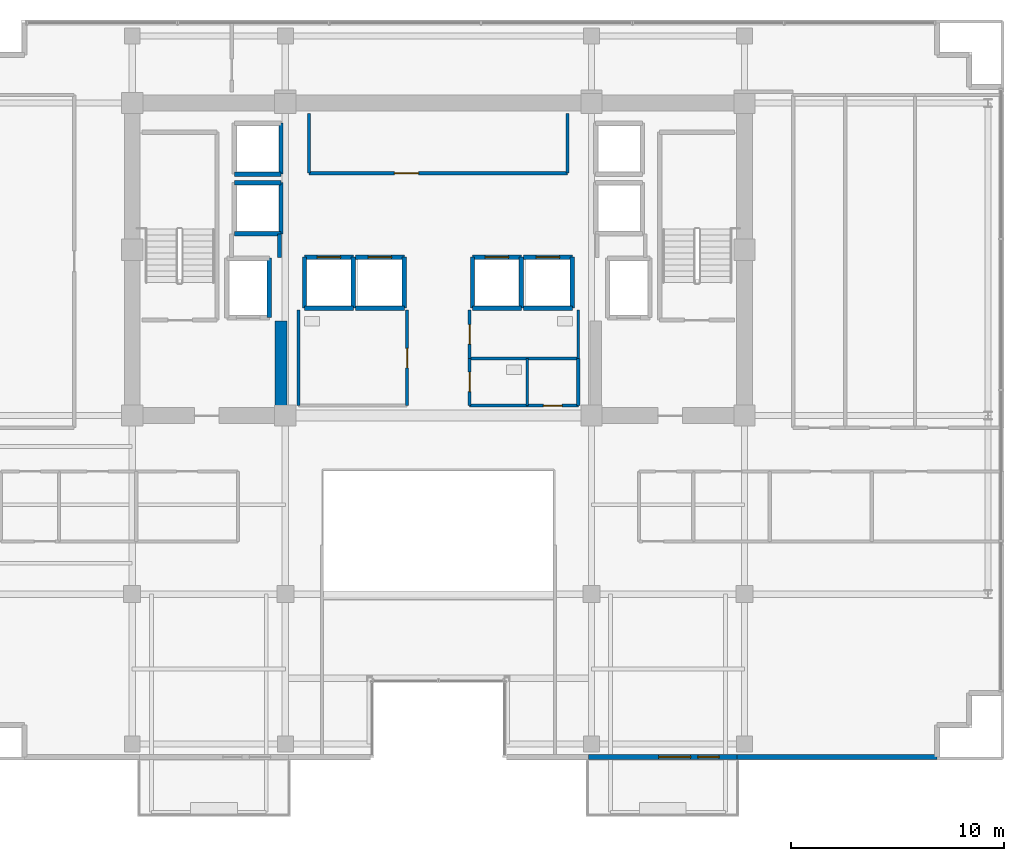
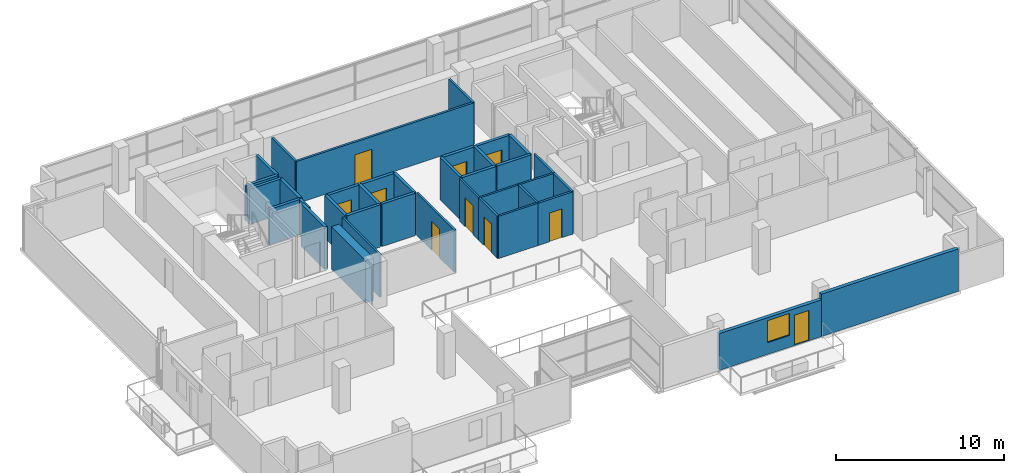
# One storey, part 16 of 21: 37 walls, 10 doors, 1 window, 11 openings.
"""IFC4 building model written with IfcOpenShell, lengths in metres."""

from ifc_helpers import new_model, si_unit, direction, frame, frame_2d, origin, place, context, subcontext, project, spatial, rectangle, extrude, source, transform, mapped, material, layer, layer_set, type_object, element, fill, save


model = new_model("IFC4")

# Units and contexts
model_context = context("Model", 3, precision=1e-05, world=origin(), true_north=direction((0.0, 1.0)))
body_context = subcontext(model_context, "Body", "Model", "MODEL_VIEW")
ifc_project = project(units=[si_unit("LENGTHUNIT", "METRE"), si_unit("AREAUNIT", "SQUARE_METRE"), si_unit("VOLUMEUNIT", "CUBIC_METRE"), si_unit("PLANEANGLEUNIT", "RADIAN"), si_unit("MASSUNIT", "GRAM", prefix="KILO")], contexts=[model_context])

# Site, building, storey
site_placement = place(None, origin())
site = spatial("IfcSite", under=ifc_project, at=site_placement, CompositionType="ELEMENT")
building_placement = place(site_placement, origin())
building = spatial("IfcBuilding", under=site, at=building_placement, Name="Zarnakvel Exchange Tower", CompositionType="ELEMENT")
storey_placement = place(building_placement, frame((0.0, 0.0, 185.800048828125)))
storey = spatial("IfcBuildingStorey", under=building, at=storey_placement, Name="L52", CompositionType="ELEMENT", Elevation=185.800048828125)

# Wall
ifc_material_1 = material(Name="Concrete C60/75", Category="concrete")
ifc_layer_1 = layer(ifc_material_1, 0.550048828125)
ifc_layer_set_1 = layer_set([ifc_layer_1], Name="Concrete C60/75")
wall_type_1 = type_object("IfcWallType", Name="CW-C4", PredefinedType="SHEAR", material=ifc_layer_set_1)
wall_1_placement = place(storey_placement, frame((-7.39990234375, -0.824951171875, 0.0), z_axis=(0.0, 0.0, 1.0), x_axis=(0.0, 1.0, 0.0)))
element("IfcWall", 1, at=wall_1_placement, inside=storey, type_object=wall_type_1, Name="L52 Rear Core Shear Wall IW (CW-C4)", PredefinedType="SHEAR", context=body_context, shape_type="SweptSolid", body=[
    extrude(rectangle(XDim=4.074951171875, YDim=0.550048828125, at=frame_2d((2.03759765625, 0.0))), origin(), (0.0, 0.0, 1.0), 3.074951171875),
])

# Wall, openings, door, window
ifc_material_2 = material(Name="Precast concrete C40/50", Category="concrete")
ifc_layer_2 = layer(ifc_material_2, 0.239990234375)
ifc_layer_set_2 = layer_set([ifc_layer_2], Name="Precast concrete C40/50")
wall_type_2 = type_object("IfcWallType", Name="EW-02", PredefinedType="SOLIDWALL", material=ifc_layer_set_2)
wall_2_placement = place(storey_placement, frame((14.050048828125, -17.260009765625, 0.0), z_axis=(0.0, 0.0, 1.0), x_axis=(-1.0, 0.0, 0.0)))
wall_2 = element("IfcWall", 2, at=wall_2_placement, inside=storey, type_object=wall_type_2, Name="L52 Exterior Precast Spandrel Wall EW-BAL-L52-SE (EW-02)", PredefinedType="SOLIDWALL", context=body_context, shape_type="SweptSolid", body=[
    extrude(rectangle(XDim=7.0, YDim=0.239990234375, at=frame_2d((3.5, 0.0))), origin(), (0.0, 0.0, 1.0), 2.6650390625),
])
opening_1_placement = place(wall_2_placement, frame((0.840087890625, 0.0, 0.0)))
opening_1 = element("IfcOpeningElement", 3, at=opening_1_placement, cuts=wall_2, Name="Opening BD-L52-02", PredefinedType="OPENING", context=body_context, shape_type="SweptSolid", body=[
    extrude(rectangle(XDim=1.0, YDim=2.199951171875, at=frame_2d((0.5, 1.10009765625))), frame((0.0, 0.1298828125, 0.0), z_axis=(0.0, -1.0, 0.0), x_axis=(1.0, 0.0, 0.0)), (0.0, 0.0, 1.0), 0.260009765625),
])
opening_2_placement = place(wall_2_placement, frame((2.18994140625, 0.0, 0.85009765625)))
opening_2 = element("IfcOpeningElement", 4, at=opening_2_placement, cuts=wall_2, Name="Opening WN-03", PredefinedType="OPENING", context=body_context, shape_type="SweptSolid", body=[
    extrude(rectangle(XDim=1.5, YDim=1.60009765625, at=frame_2d((0.75, 0.800048828125))), frame((0.0, 0.1298828125, 0.0), z_axis=(0.0, -1.0, 0.0), x_axis=(1.0, 0.0, 0.0)), (0.0, 0.0, 1.0), 0.260009765625),
])
ifc_material_3 = material(Name="Architectural Bronze Anodised Aluminium", Category="aluminium")
door_type_1 = type_object("IfcDoorType", Name="DT-09", OperationType="NOTDEFINED", PredefinedType="DOOR", material=ifc_material_3)
shared_shape_1 = source(origin(), body_context, "Body", "SweptSolid", [
    extrude(rectangle(XDim=1.0, YDim=2.199951171875, at=frame_2d((0.5, 1.10009765625))), frame((0.0, 0.02490234375, 0.0), z_axis=(0.0, -1.0, 0.0), x_axis=(1.0, 0.0, 0.0)), (0.0, 0.0, 1.0), 0.050048828125),
])
door_1_placement = place(opening_1_placement, origin())
door_1 = element("IfcDoor", 5, at=door_1_placement, inside=storey, type_object=door_type_1, Name="L52 Planted Loggia Balcony Door BD-L52-02", OperationType="SINGLE_SWING_LEFT", OverallHeight=2.199951171875, OverallWidth=1.0, PredefinedType="DOOR", context=body_context, shape_type="MappedRepresentation", body=[
    mapped(shared_shape_1, transform((0.0, 0.0, 0.0), x_axis=(1.0, 0.0, 0.0), y_axis=(0.0, 1.0, 0.0), z_axis=(0.0, 0.0, 1.0), scale=1.0)),
])
fill(opening_1, door_1)
ifc_material_4 = material(Name="Double Low-E Laminated Vision Glass", Category="glass")
window_type = type_object("IfcWindowType", Name="WN-03", PartitioningType="SINGLE_PANEL", PredefinedType="WINDOW", material=ifc_material_4)
shared_shape_2 = source(origin(), body_context, "Body", "SweptSolid", [
    extrude(rectangle(XDim=1.5, YDim=1.60009765625, at=frame_2d((0.75, 0.800048828125))), frame((0.0, 0.030029296875, 0.0), z_axis=(0.0, -1.0, 0.0), x_axis=(1.0, 0.0, 0.0)), (0.0, 0.0, 1.0), 0.06005859375),
])
window_placement = place(opening_2_placement, origin())
window = element("IfcWindow", 6, at=window_placement, inside=storey, type_object=window_type, Name="L52 Loggia Daylight Window (WN-03)", OverallHeight=1.60009765625, OverallWidth=1.5, PartitioningType="SINGLE_PANEL", PredefinedType="WINDOW", context=body_context, shape_type="MappedRepresentation", body=[
    mapped(shared_shape_2, transform((0.0, 0.0, 0.0), x_axis=(1.0, 0.0, 0.0), y_axis=(0.0, 1.0, 0.0), z_axis=(0.0, 0.0, 1.0), scale=1.0)),
])
fill(opening_2, window)

# Wall
wall_3_placement = place(storey_placement, frame((14.050048828125, -17.260009765625, 0.0), z_axis=(0.0, 0.0, 1.0), x_axis=(1.0, 0.0, 0.0)))
element("IfcWall", 7, at=wall_3_placement, inside=storey, type_object=wall_type_2, Name="L52 Exterior Precast Spandrel Wall EWC-L52-15 (EW-02)", PredefinedType="SOLIDWALL", context=body_context, shape_type="SweptSolid", body=[
    extrude(rectangle(XDim=9.409912109375, YDim=0.239990234375, at=frame_2d((4.705078125, 0.0))), origin(), (0.0, 0.0, 1.0), 3.074951171875),
])

# Wall, opening, door
ifc_material_5 = material(Name="Fire-Rated Gypsum Stud Partition", Category="gypsum")
ifc_layer_3 = layer(ifc_material_5, 0.14990234375)
ifc_layer_set_3 = layer_set([ifc_layer_3], Name="Fire-Rated Gypsum Stud Partition")
wall_type_3 = type_object("IfcWallType", Name="PT-01", PredefinedType="PARTITIONING", material=ifc_layer_set_3)
wall_4_placement = place(storey_placement, frame((6.080078125, 10.199951171875, 0.0), z_axis=(0.0, 0.0, 1.0), x_axis=(-1.0, 0.0, 0.0)))
wall_4 = element("IfcWall", 8, at=wall_4_placement, inside=storey, type_object=wall_type_3, Name="L52 Partition Wall PWALL-L52-011 (PT-01)", PredefinedType="PARTITIONING", context=body_context, shape_type="SweptSolid", body=[
    extrude(rectangle(XDim=12.16015625, YDim=0.14990234375, at=frame_2d((6.080078125, 0.0))), origin(), (0.0, 0.0, 1.0), 3.074951171875),
])
opening_3_placement = place(wall_4_placement, frame((7.0048828125, 0.0, 0.0)))
opening_3 = element("IfcOpeningElement", 9, at=opening_3_placement, cuts=wall_4, Name="Opening D-L52-05", PredefinedType="OPENING", context=body_context, shape_type="SweptSolid", body=[
    extrude(rectangle(XDim=1.14990234375, YDim=2.14990234375, at=frame_2d((0.574951171875, 1.074951171875))), frame((0.0, 0.0849609375, 0.0), z_axis=(0.0, -1.0, 0.0), x_axis=(1.0, 0.0, 0.0)), (0.0, 0.0, 1.0), 0.169921875),
])
ifc_material_6 = material(Name="Painted Galvanised Steel S355", Category="steel")
door_type_2 = type_object("IfcDoorType", Name="DT-04", OperationType="NOTDEFINED", PredefinedType="DOOR", material=ifc_material_6)
shared_shape_3 = source(origin(), body_context, "Body", "SweptSolid", [
    extrude(rectangle(XDim=1.14990234375, YDim=2.14990234375, at=frame_2d((0.574951171875, 1.074951171875))), frame((0.0, 0.02490234375, 0.0), z_axis=(0.0, -1.0, 0.0), x_axis=(1.0, 0.0, 0.0)), (0.0, 0.0, 1.0), 0.050048828125),
])
door_2_placement = place(opening_3_placement, origin())
door_2 = element("IfcDoor", 10, at=door_2_placement, inside=storey, type_object=door_type_2, Name="L52 Market Data Archive Suite Door D-L52-05", OperationType="SINGLE_SWING_RIGHT", OverallHeight=2.14990234375, OverallWidth=1.14990234375, PredefinedType="DOOR", context=body_context, shape_type="MappedRepresentation", body=[
    mapped(shared_shape_3, transform((0.0, 0.0, 0.0), x_axis=(1.0, 0.0, 0.0), y_axis=(0.0, 1.0, 0.0), z_axis=(0.0, 0.0, 1.0), scale=1.0)),
])
fill(opening_3, door_2)

# Walls
for number, where, z_axis, x_axis, name in (
    (11, (-6.080078125, 10.199951171875, 0.0), (0.0, 0.0, 1.0), (0.0, 1.0, 0.0), "L52 Partition Wall PWALL-L52-012 (PT-01)"),
    (12, (6.080078125, 13.0, 0.0), (0.0, 0.0, 1.0), (0.0, -1.0, 0.0), "L52 Partition Wall PWALL-L52-013 (PT-01)"),
):
    element("IfcWall", number, at=place(storey_placement, frame(where, z_axis=z_axis, x_axis=x_axis)), inside=storey, type_object=wall_type_3, Name=name, PredefinedType="PARTITIONING", context=body_context, shape_type="SweptSolid", body=[
        extrude(rectangle(XDim=2.800048828125, YDim=0.14990234375, at=frame_2d((1.39990234375, 0.0))), origin(), (0.0, 0.0, 1.0), 3.074951171875),
    ])

# Wall, opening, door
wall_5_placement = place(storey_placement, frame((6.580078125, -0.72998046875, 0.0), z_axis=(0.0, 0.0, 1.0), x_axis=(-1.0, 0.0, 0.0)))
wall_5 = element("IfcWall", 13, at=wall_5_placement, inside=storey, type_object=wall_type_3, Name="L52 Partition Wall PWALL-L52-023 (PT-01)", PredefinedType="PARTITIONING", context=body_context, shape_type="SweptSolid", body=[
    extrude(rectangle(XDim=2.400146484375, YDim=0.14990234375, at=frame_2d((1.2001953125, 0.0))), origin(), (0.0, 0.0, 1.0), 3.074951171875),
])
opening_4_placement = place(wall_5_placement, frame((0.760009765625, 0.0, 0.0)))
opening_4 = element("IfcOpeningElement", 14, at=opening_4_placement, cuts=wall_5, Name="Opening D-L52-09", PredefinedType="OPENING", context=body_context, shape_type="SweptSolid", body=[
    extrude(rectangle(XDim=0.8798828125, YDim=2.10009765625, at=frame_2d((0.43994140625, 1.050048828125))), frame((0.0, 0.0849609375, 0.0), z_axis=(0.0, -1.0, 0.0), x_axis=(1.0, 0.0, 0.0)), (0.0, 0.0, 1.0), 0.169921875),
])
door_type_3 = type_object("IfcDoorType", Name="DT-08", OperationType="NOTDEFINED", PredefinedType="DOOR", material=ifc_material_6)
shared_shape_4 = source(origin(), body_context, "Body", "SweptSolid", [
    extrude(rectangle(XDim=0.8798828125, YDim=2.10009765625, at=frame_2d((0.43994140625, 1.050048828125))), frame((0.0, 0.02490234375, 0.0), z_axis=(0.0, -1.0, 0.0), x_axis=(1.0, 0.0, 0.0)), (0.0, 0.0, 1.0), 0.050048828125),
])
door_3_placement = place(opening_4_placement, origin())
door_3 = element("IfcDoor", 15, at=door_3_placement, inside=storey, type_object=door_type_3, Name="L52 Cleaners Store Door D-L52-09", OperationType="SINGLE_SWING_RIGHT", OverallHeight=2.10009765625, OverallWidth=0.8798828125, PredefinedType="DOOR", context=body_context, shape_type="MappedRepresentation", body=[
    mapped(shared_shape_4, transform((0.0, 0.0, 0.0), x_axis=(1.0, 0.0, 0.0), y_axis=(0.0, 1.0, 0.0), z_axis=(0.0, 0.0, 1.0), scale=1.0)),
])
fill(opening_4, door_3)

# Walls
wall_6_placement = place(storey_placement, frame((6.580078125, 1.47998046875, 0.0), z_axis=(0.0, 0.0, 1.0), x_axis=(0.0, -1.0, 0.0)))
element("IfcWall", 16, at=wall_6_placement, inside=storey, type_object=wall_type_3, Name="L52 Partition Wall PWALL-L52-024 (PT-01)", PredefinedType="PARTITIONING", context=body_context, shape_type="SweptSolid", body=[
    extrude(rectangle(XDim=2.2099609375, YDim=0.14990234375, at=frame_2d((1.10498046875, 0.0))), origin(), (0.0, 0.0, 1.0), 3.074951171875),
])
ifc_layer_4 = layer(ifc_material_5, 0.179931640625)
ifc_layer_set_4 = layer_set([ifc_layer_4], Name="Fire-Rated Gypsum Stud Partition")
wall_type_4 = type_object("IfcWallType", Name="PT-02", PredefinedType="PARTITIONING", material=ifc_layer_set_4)
wall_7_placement = place(storey_placement, frame((-7.469970703125, 7.330078125, 0.0), z_axis=(0.0, 0.0, 1.0), x_axis=(0.0, -1.0, 0.0)))
element("IfcWall", 17, at=wall_7_placement, inside=storey, type_object=wall_type_4, Name="L52 Partition Wall PWALL-L52-008 (PT-02)", PredefinedType="PARTITIONING", context=body_context, shape_type="SweptSolid", body=[
    extrude(rectangle(XDim=1.090087890625, YDim=0.179931640625, at=frame_2d((0.544921875, 0.0))), origin(), (0.0, 0.0, 1.0), 2.56494140625),
])
ifc_material_7 = material(Name="Moisture-Resistant Tile-Faced Partition", Category="gypsum")
ifc_layer_5 = layer(ifc_material_7, 0.135009765625)
ifc_layer_set_5 = layer_set([ifc_layer_5], Name="Moisture-Resistant Tile-Faced Partition")
wall_type_5 = type_object("IfcWallType", Name="PT-03", PredefinedType="PARTITIONING", material=ifc_layer_set_5)
wall_8_placement = place(storey_placement, frame((-6.580078125, -0.72998046875, 0.0), z_axis=(0.0, 0.0, 1.0), x_axis=(0.0, 1.0, 0.0)))
element("IfcWall", 18, at=wall_8_placement, inside=storey, type_object=wall_type_5, Name="L52 Partition Wall PWALL-L52-015 (PT-03)", PredefinedType="PARTITIONING", context=body_context, shape_type="SweptSolid", body=[
    extrude(rectangle(XDim=4.489990234375, YDim=0.135009765625, at=frame_2d((2.2451171875, 0.0))), origin(), (0.0, 0.0, 1.0), 3.074951171875),
])

# Wall, opening, door
wall_9_placement = place(storey_placement, frame((-1.469970703125, 3.760009765625, 0.0), z_axis=(0.0, 0.0, 1.0), x_axis=(0.0, -1.0, 0.0)))
wall_9 = element("IfcWall", 19, at=wall_9_placement, inside=storey, type_object=wall_type_5, Name="L52 Partition Wall PWALL-L52-016 (PT-03)", PredefinedType="PARTITIONING", context=body_context, shape_type="SweptSolid", body=[
    extrude(rectangle(XDim=4.489990234375, YDim=0.135009765625, at=frame_2d((2.2451171875, 0.0))), origin(), (0.0, 0.0, 1.0), 3.074951171875),
])
opening_5_placement = place(wall_9_placement, frame((1.800048828125, 0.0, 0.0)))
opening_5 = element("IfcOpeningElement", 20, at=opening_5_placement, cuts=wall_9, Name="Opening D-L52-06", PredefinedType="OPENING", context=body_context, shape_type="SweptSolid", body=[
    extrude(rectangle(XDim=0.919921875, YDim=2.10009765625, at=frame_2d((0.4599609375, 1.050048828125))), frame((0.0, 0.077392578125, 0.0), z_axis=(0.0, -1.0, 0.0), x_axis=(1.0, 0.0, 0.0)), (0.0, 0.0, 1.0), 0.155029296875),
])
ifc_material_8 = material(Name="Moisture-Resistant Laminate Timber", Category="wood")
door_type_4 = type_object("IfcDoorType", Name="DT-07", OperationType="NOTDEFINED", PredefinedType="DOOR", material=ifc_material_8)
shared_shape_5 = source(origin(), body_context, "Body", "SweptSolid", [
    extrude(rectangle(XDim=0.919921875, YDim=2.10009765625, at=frame_2d((0.4599609375, 1.050048828125))), frame((0.0, 0.02490234375, 0.0), z_axis=(0.0, -1.0, 0.0), x_axis=(1.0, 0.0, 0.0)), (0.0, 0.0, 1.0), 0.050048828125),
])
door_4_placement = place(opening_5_placement, origin())
door_4 = element("IfcDoor", 21, at=door_4_placement, inside=storey, type_object=door_type_4, Name="L52 Male Toilet Door D-L52-06", OperationType="SINGLE_SWING_LEFT", OverallHeight=2.10009765625, OverallWidth=0.919921875, PredefinedType="DOOR", context=body_context, shape_type="MappedRepresentation", body=[
    mapped(shared_shape_5, transform((0.0, 0.0, 0.0), x_axis=(1.0, 0.0, 0.0), y_axis=(0.0, 1.0, 0.0), z_axis=(0.0, 0.0, 1.0), scale=1.0)),
])
fill(opening_5, door_4)

# Wall
wall_10_placement = place(storey_placement, frame((6.580078125, 1.47998046875, 0.0), z_axis=(0.0, 0.0, 1.0), x_axis=(-1.0, 0.0, 0.0)))
element("IfcWall", 22, at=wall_10_placement, inside=storey, type_object=wall_type_5, Name="L52 Partition Wall PWALL-L52-017 (PT-03)", PredefinedType="PARTITIONING", context=body_context, shape_type="SweptSolid", body=[
    extrude(rectangle(XDim=5.110107421875, YDim=0.135009765625, at=frame_2d((2.55517578125, 0.0))), origin(), (0.0, 0.0, 1.0), 3.074951171875),
])

# Wall, opening, door
wall_11_placement = place(storey_placement, frame((1.469970703125, 1.47998046875, 0.0), z_axis=(0.0, 0.0, 1.0), x_axis=(0.0, 1.0, 0.0)))
wall_11 = element("IfcWall", 23, at=wall_11_placement, inside=storey, type_object=wall_type_5, Name="L52 Partition Wall PWALL-L52-018 (PT-03)", PredefinedType="PARTITIONING", context=body_context, shape_type="SweptSolid", body=[
    extrude(rectangle(XDim=2.280029296875, YDim=0.135009765625, at=frame_2d((1.14013671875, 0.0))), origin(), (0.0, 0.0, 1.0), 3.074951171875),
])
opening_6_placement = place(wall_11_placement, frame((0.679931640625, 0.0, 0.0)))
opening_6 = element("IfcOpeningElement", 24, at=opening_6_placement, cuts=wall_11, Name="Opening D-L52-07", PredefinedType="OPENING", context=body_context, shape_type="SweptSolid", body=[
    extrude(rectangle(XDim=0.919921875, YDim=2.10009765625, at=frame_2d((0.4599609375, 1.050048828125))), frame((0.0, 0.077392578125, 0.0), z_axis=(0.0, -1.0, 0.0), x_axis=(1.0, 0.0, 0.0)), (0.0, 0.0, 1.0), 0.155029296875),
])
door_5_placement = place(opening_6_placement, origin())
door_5 = element("IfcDoor", 25, at=door_5_placement, inside=storey, type_object=door_type_4, Name="L52 Female Toilet Door D-L52-07", OperationType="SINGLE_SWING_RIGHT", OverallHeight=2.10009765625, OverallWidth=0.919921875, PredefinedType="DOOR", context=body_context, shape_type="MappedRepresentation", body=[
    mapped(shared_shape_5, transform((0.0, 0.0, 0.0), x_axis=(1.0, 0.0, 0.0), y_axis=(0.0, 1.0, 0.0), z_axis=(0.0, 0.0, 1.0), scale=1.0)),
])
fill(opening_6, door_5)

# Walls
wall_12_placement = place(storey_placement, frame((6.580078125, 3.760009765625, 0.0), z_axis=(0.0, 0.0, 1.0), x_axis=(0.0, -1.0, 0.0)))
element("IfcWall", 26, at=wall_12_placement, inside=storey, type_object=wall_type_5, Name="L52 Partition Wall PWALL-L52-019 (PT-03)", PredefinedType="PARTITIONING", context=body_context, shape_type="SweptSolid", body=[
    extrude(rectangle(XDim=2.280029296875, YDim=0.135009765625, at=frame_2d((1.14013671875, 0.0))), origin(), (0.0, 0.0, 1.0), 3.074951171875),
])
wall_13_placement = place(storey_placement, frame((4.179931640625, -0.72998046875, 0.0), z_axis=(0.0, 0.0, 1.0), x_axis=(-1.0, 0.0, 0.0)))
element("IfcWall", 27, at=wall_13_placement, inside=storey, type_object=wall_type_5, Name="L52 Partition Wall PWALL-L52-020 (PT-03)", PredefinedType="PARTITIONING", context=body_context, shape_type="SweptSolid", body=[
    extrude(rectangle(XDim=2.7099609375, YDim=0.135009765625, at=frame_2d((1.35498046875, 0.0))), origin(), (0.0, 0.0, 1.0), 3.074951171875),
])

# Wall, opening, door
wall_14_placement = place(storey_placement, frame((1.469970703125, -0.72998046875, 0.0), z_axis=(0.0, 0.0, 1.0), x_axis=(0.0, 1.0, 0.0)))
wall_14 = element("IfcWall", 28, at=wall_14_placement, inside=storey, type_object=wall_type_5, Name="L52 Partition Wall PWALL-L52-021 (PT-03)", PredefinedType="PARTITIONING", context=body_context, shape_type="SweptSolid", body=[
    extrude(rectangle(XDim=2.2099609375, YDim=0.135009765625, at=frame_2d((1.10498046875, 0.0))), origin(), (0.0, 0.0, 1.0), 3.074951171875),
])
opening_7_placement = place(wall_14_placement, frame((0.64990234375, 0.0, 0.0)))
opening_7 = element("IfcOpeningElement", 29, at=opening_7_placement, cuts=wall_14, Name="Opening D-L52-08", PredefinedType="OPENING", context=body_context, shape_type="SweptSolid", body=[
    extrude(rectangle(XDim=0.919921875, YDim=2.10009765625, at=frame_2d((0.4599609375, 1.050048828125))), frame((0.0, 0.077392578125, 0.0), z_axis=(0.0, -1.0, 0.0), x_axis=(1.0, 0.0, 0.0)), (0.0, 0.0, 1.0), 0.155029296875),
])
door_6_placement = place(opening_7_placement, origin())
door_6 = element("IfcDoor", 30, at=door_6_placement, inside=storey, type_object=door_type_4, Name="L52 Accessible Toilet Door D-L52-08", OperationType="SINGLE_SWING_LEFT", OverallHeight=2.10009765625, OverallWidth=0.919921875, PredefinedType="DOOR", context=body_context, shape_type="MappedRepresentation", body=[
    mapped(shared_shape_5, transform((0.0, 0.0, 0.0), x_axis=(1.0, 0.0, 0.0), y_axis=(0.0, 1.0, 0.0), z_axis=(0.0, 0.0, 1.0), scale=1.0)),
])
fill(opening_7, door_6)

# Walls
wall_15_placement = place(storey_placement, frame((4.179931640625, 1.47998046875, 0.0), z_axis=(0.0, 0.0, 1.0), x_axis=(0.0, -1.0, 0.0)))
element("IfcWall", 31, at=wall_15_placement, inside=storey, type_object=wall_type_5, Name="L52 Partition Wall PWALL-L52-022 (PT-03)", PredefinedType="PARTITIONING", context=body_context, shape_type="SweptSolid", body=[
    extrude(rectangle(XDim=2.2099609375, YDim=0.135009765625, at=frame_2d((1.10498046875, 0.0))), origin(), (0.0, 0.0, 1.0), 3.074951171875),
])
ifc_material_9 = material(Name="Concrete C40/50", Category="concrete")
ifc_layer_6 = layer(ifc_material_9, 0.199951171875)
ifc_layer_set_6 = layer_set([ifc_layer_6], Name="Concrete C40/50")
wall_type_6 = type_object("IfcWallType", Name="SW-01", PredefinedType="SOLIDWALL", material=ifc_layer_set_6)
wall_16_placement = place(storey_placement, frame((-7.949951171875, 6.199951171875, 0.0), z_axis=(0.0, 0.0, 1.0), x_axis=(0.0, -1.0, 0.0)))
element("IfcWall", 32, at=wall_16_placement, inside=storey, type_object=wall_type_6, Name="L52 FL-01 Hoistway Wall East", PredefinedType="SOLIDWALL", context=body_context, shape_type="SweptSolid", body=[
    extrude(rectangle(XDim=2.800048828125, YDim=0.199951171875, at=frame_2d((1.39990234375, 0.0))), origin(), (0.0, 0.0, 1.0), 3.074951171875),
])
wall_17_placement = place(storey_placement, frame((-4.0, 3.85009765625, 0.0), z_axis=(0.0, 0.0, 1.0), x_axis=(-1.0, 0.0, 0.0)))
element("IfcWall", 33, at=wall_17_placement, inside=storey, type_object=wall_type_6, Name="L52 PL-05 Hoistway Wall South", PredefinedType="SOLIDWALL", context=body_context, shape_type="SweptSolid", body=[
    extrude(rectangle(XDim=2.300048828125, YDim=0.199951171875, at=frame_2d((1.14990234375, 0.0))), origin(), (0.0, 0.0, 1.0), 3.074951171875),
])

# Wall, opening, door
wall_18_placement = place(storey_placement, frame((-6.300048828125, 6.25, 0.0), z_axis=(0.0, 0.0, 1.0), x_axis=(1.0, 0.0, 0.0)))
wall_18 = element("IfcWall", 34, at=wall_18_placement, inside=storey, type_object=wall_type_6, Name="L52 PL-05 Hoistway Wall North", PredefinedType="SOLIDWALL", context=body_context, shape_type="SweptSolid", body=[
    extrude(rectangle(XDim=2.300048828125, YDim=0.199951171875, at=frame_2d((1.14990234375, 0.0))), origin(), (0.0, 0.0, 1.0), 3.074951171875),
])
opening_8_placement = place(wall_18_placement, frame((0.60009765625, 0.0, 0.0)))
opening_8 = element("IfcOpeningElement", 35, at=opening_8_placement, cuts=wall_18, Name="Opening LD-PL-05-L52", PredefinedType="OPENING", context=body_context, shape_type="SweptSolid", body=[
    extrude(rectangle(XDim=1.10009765625, YDim=2.199951171875, at=frame_2d((0.550048828125, 1.10009765625))), frame((0.0, 0.10986328125, 0.0), z_axis=(0.0, -1.0, 0.0), x_axis=(1.0, 0.0, 0.0)), (0.0, 0.0, 1.0), 0.219970703125),
])
door_type_5 = type_object("IfcDoorType", Name="LDT-02", OperationType="NOTDEFINED", PredefinedType="DOOR", material=ifc_material_3)
shared_shape_6 = source(origin(), body_context, "Body", "SweptSolid", [
    extrude(rectangle(XDim=1.10009765625, YDim=2.199951171875, at=frame_2d((0.550048828125, 1.10009765625))), frame((0.0, 0.02490234375, 0.0), z_axis=(0.0, -1.0, 0.0), x_axis=(1.0, 0.0, 0.0)), (0.0, 0.0, 1.0), 0.050048828125),
])
door_7_placement = place(opening_8_placement, origin())
door_7 = element("IfcDoor", 36, at=door_7_placement, inside=storey, type_object=door_type_5, Name="L52 PL-05 Lift Landing Door LD-PL-05-L52", OperationType="DOUBLE_DOOR_SLIDING", OverallHeight=2.199951171875, OverallWidth=1.10009765625, PredefinedType="DOOR", context=body_context, shape_type="MappedRepresentation", body=[
    mapped(shared_shape_6, transform((0.0, 0.0, 0.0), x_axis=(1.0, 0.0, 0.0), y_axis=(0.0, 1.0, 0.0), z_axis=(0.0, 0.0, 1.0), scale=1.0)),
])
fill(opening_8, door_7)

# Walls
for number, where, z_axis, x_axis, name in (
    (37, (-6.300048828125, 3.85009765625, 0.0), (0.0, 0.0, 1.0), (0.0, 1.0, 0.0), "L52 PL-05 Hoistway Wall West"),
    (38, (-4.0, 6.25, 0.0), (0.0, 0.0, 1.0), (0.0, -1.0, 0.0), "L52 PL-05 Hoistway Wall East"),
):
    element("IfcWall", number, at=place(storey_placement, frame(where, z_axis=z_axis, x_axis=x_axis)), inside=storey, type_object=wall_type_6, Name=name, PredefinedType="SOLIDWALL", context=body_context, shape_type="SweptSolid", body=[
        extrude(rectangle(XDim=2.39990234375, YDim=0.199951171875, at=frame_2d((1.199951171875, 0.0))), origin(), (0.0, 0.0, 1.0), 3.074951171875),
    ])
wall_19_placement = place(storey_placement, frame((-1.60009765625, 3.85009765625, 0.0), z_axis=(0.0, 0.0, 1.0), x_axis=(-1.0, 0.0, 0.0)))
element("IfcWall", 39, at=wall_19_placement, inside=storey, type_object=wall_type_6, Name="L52 PL-06 Hoistway Wall South", PredefinedType="SOLIDWALL", context=body_context, shape_type="SweptSolid", body=[
    extrude(rectangle(XDim=2.2998046875, YDim=0.199951171875, at=frame_2d((1.14990234375, 0.0))), origin(), (0.0, 0.0, 1.0), 3.074951171875),
])

# Wall, opening, door
wall_20_placement = place(storey_placement, frame((-3.89990234375, 6.25, 0.0), z_axis=(0.0, 0.0, 1.0), x_axis=(1.0, 0.0, 0.0)))
wall_20 = element("IfcWall", 40, at=wall_20_placement, inside=storey, type_object=wall_type_6, Name="L52 PL-06 Hoistway Wall North", PredefinedType="SOLIDWALL", context=body_context, shape_type="SweptSolid", body=[
    extrude(rectangle(XDim=2.2998046875, YDim=0.199951171875, at=frame_2d((1.14990234375, 0.0))), origin(), (0.0, 0.0, 1.0), 3.074951171875),
])
opening_9_placement = place(wall_20_placement, frame((0.60009765625, 0.0, 0.0)))
opening_9 = element("IfcOpeningElement", 41, at=opening_9_placement, cuts=wall_20, Name="Opening LD-PL-06-L52", PredefinedType="OPENING", context=body_context, shape_type="SweptSolid", body=[
    extrude(rectangle(XDim=1.10009765625, YDim=2.199951171875, at=frame_2d((0.550048828125, 1.10009765625))), frame((0.0, 0.10986328125, 0.0), z_axis=(0.0, -1.0, 0.0), x_axis=(1.0, 0.0, 0.0)), (0.0, 0.0, 1.0), 0.219970703125),
])
door_8_placement = place(opening_9_placement, origin())
door_8 = element("IfcDoor", 42, at=door_8_placement, inside=storey, type_object=door_type_5, Name="L52 PL-06 Lift Landing Door LD-PL-06-L52", OperationType="DOUBLE_DOOR_SLIDING", OverallHeight=2.199951171875, OverallWidth=1.10009765625, PredefinedType="DOOR", context=body_context, shape_type="MappedRepresentation", body=[
    mapped(shared_shape_6, transform((0.0, 0.0, 0.0), x_axis=(1.0, 0.0, 0.0), y_axis=(0.0, 1.0, 0.0), z_axis=(0.0, 0.0, 1.0), scale=1.0)),
])
fill(opening_9, door_8)

# Walls
wall_21_placement = place(storey_placement, frame((-1.60009765625, 6.25, 0.0), z_axis=(0.0, 0.0, 1.0), x_axis=(0.0, -1.0, 0.0)))
element("IfcWall", 43, at=wall_21_placement, inside=storey, type_object=wall_type_6, Name="L52 PL-06 Hoistway Wall East", PredefinedType="SOLIDWALL", context=body_context, shape_type="SweptSolid", body=[
    extrude(rectangle(XDim=2.39990234375, YDim=0.199951171875, at=frame_2d((1.199951171875, 0.0))), origin(), (0.0, 0.0, 1.0), 3.074951171875),
])
wall_22_placement = place(storey_placement, frame((3.89990234375, 3.85009765625, 0.0), z_axis=(0.0, 0.0, 1.0), x_axis=(-1.0, 0.0, 0.0)))
element("IfcWall", 44, at=wall_22_placement, inside=storey, type_object=wall_type_6, Name="L52 PL-07 Hoistway Wall South", PredefinedType="SOLIDWALL", context=body_context, shape_type="SweptSolid", body=[
    extrude(rectangle(XDim=2.2998046875, YDim=0.199951171875, at=frame_2d((1.14990234375, 0.0))), origin(), (0.0, 0.0, 1.0), 3.074951171875),
])

# Wall, opening, door
wall_23_placement = place(storey_placement, frame((1.60009765625, 6.25, 0.0), z_axis=(0.0, 0.0, 1.0), x_axis=(1.0, 0.0, 0.0)))
wall_23 = element("IfcWall", 45, at=wall_23_placement, inside=storey, type_object=wall_type_6, Name="L52 PL-07 Hoistway Wall North", PredefinedType="SOLIDWALL", context=body_context, shape_type="SweptSolid", body=[
    extrude(rectangle(XDim=2.2998046875, YDim=0.199951171875, at=frame_2d((1.14990234375, 0.0))), origin(), (0.0, 0.0, 1.0), 3.074951171875),
])
opening_10_placement = place(wall_23_placement, frame((0.60009765625, 0.0, 0.0)))
opening_10 = element("IfcOpeningElement", 46, at=opening_10_placement, cuts=wall_23, Name="Opening LD-PL-07-L52", PredefinedType="OPENING", context=body_context, shape_type="SweptSolid", body=[
    extrude(rectangle(XDim=1.10009765625, YDim=2.199951171875, at=frame_2d((0.550048828125, 1.10009765625))), frame((0.0, 0.10986328125, 0.0), z_axis=(0.0, -1.0, 0.0), x_axis=(1.0, 0.0, 0.0)), (0.0, 0.0, 1.0), 0.219970703125),
])
door_9_placement = place(opening_10_placement, origin())
door_9 = element("IfcDoor", 47, at=door_9_placement, inside=storey, type_object=door_type_5, Name="L52 PL-07 Lift Landing Door LD-PL-07-L52", OperationType="DOUBLE_DOOR_SLIDING", OverallHeight=2.199951171875, OverallWidth=1.10009765625, PredefinedType="DOOR", context=body_context, shape_type="MappedRepresentation", body=[
    mapped(shared_shape_6, transform((0.0, 0.0, 0.0), x_axis=(1.0, 0.0, 0.0), y_axis=(0.0, 1.0, 0.0), z_axis=(0.0, 0.0, 1.0), scale=1.0)),
])
fill(opening_10, door_9)

# Walls
for number, where, z_axis, x_axis, name in (
    (48, (1.60009765625, 3.85009765625, 0.0), (0.0, 0.0, 1.0), (0.0, 1.0, 0.0), "L52 PL-07 Hoistway Wall West"),
    (49, (3.89990234375, 6.25, 0.0), (0.0, 0.0, 1.0), (0.0, -1.0, 0.0), "L52 PL-07 Hoistway Wall East"),
):
    element("IfcWall", number, at=place(storey_placement, frame(where, z_axis=z_axis, x_axis=x_axis)), inside=storey, type_object=wall_type_6, Name=name, PredefinedType="SOLIDWALL", context=body_context, shape_type="SweptSolid", body=[
        extrude(rectangle(XDim=2.39990234375, YDim=0.199951171875, at=frame_2d((1.199951171875, 0.0))), origin(), (0.0, 0.0, 1.0), 3.074951171875),
    ])
wall_24_placement = place(storey_placement, frame((6.300048828125, 3.85009765625, 0.0), z_axis=(0.0, 0.0, 1.0), x_axis=(-1.0, 0.0, 0.0)))
element("IfcWall", 50, at=wall_24_placement, inside=storey, type_object=wall_type_6, Name="L52 PL-08 Hoistway Wall South", PredefinedType="SOLIDWALL", context=body_context, shape_type="SweptSolid", body=[
    extrude(rectangle(XDim=2.300048828125, YDim=0.199951171875, at=frame_2d((1.14990234375, 0.0))), origin(), (0.0, 0.0, 1.0), 3.074951171875),
])

# Wall, opening, door
wall_25_placement = place(storey_placement, frame((4.0, 6.25, 0.0), z_axis=(0.0, 0.0, 1.0), x_axis=(1.0, 0.0, 0.0)))
wall_25 = element("IfcWall", 51, at=wall_25_placement, inside=storey, type_object=wall_type_6, Name="L52 PL-08 Hoistway Wall North", PredefinedType="SOLIDWALL", context=body_context, shape_type="SweptSolid", body=[
    extrude(rectangle(XDim=2.300048828125, YDim=0.199951171875, at=frame_2d((1.14990234375, 0.0))), origin(), (0.0, 0.0, 1.0), 3.074951171875),
])
opening_11_placement = place(wall_25_placement, frame((0.60009765625, 0.0, 0.0)))
opening_11 = element("IfcOpeningElement", 52, at=opening_11_placement, cuts=wall_25, Name="Opening LD-PL-08-L52", PredefinedType="OPENING", context=body_context, shape_type="SweptSolid", body=[
    extrude(rectangle(XDim=1.10009765625, YDim=2.199951171875, at=frame_2d((0.550048828125, 1.10009765625))), frame((0.0, 0.10986328125, 0.0), z_axis=(0.0, -1.0, 0.0), x_axis=(1.0, 0.0, 0.0)), (0.0, 0.0, 1.0), 0.219970703125),
])
door_10_placement = place(opening_11_placement, origin())
door_10 = element("IfcDoor", 53, at=door_10_placement, inside=storey, type_object=door_type_5, Name="L52 PL-08 Lift Landing Door LD-PL-08-L52", OperationType="DOUBLE_DOOR_SLIDING", OverallHeight=2.199951171875, OverallWidth=1.10009765625, PredefinedType="DOOR", context=body_context, shape_type="MappedRepresentation", body=[
    mapped(shared_shape_6, transform((0.0, 0.0, 0.0), x_axis=(1.0, 0.0, 0.0), y_axis=(0.0, 1.0, 0.0), z_axis=(0.0, 0.0, 1.0), scale=1.0)),
])
fill(opening_11, door_10)

# Walls
wall_26_placement = place(storey_placement, frame((6.300048828125, 6.25, 0.0), z_axis=(0.0, 0.0, 1.0), x_axis=(0.0, -1.0, 0.0)))
element("IfcWall", 54, at=wall_26_placement, inside=storey, type_object=wall_type_6, Name="L52 PL-08 Hoistway Wall East", PredefinedType="SOLIDWALL", context=body_context, shape_type="SweptSolid", body=[
    extrude(rectangle(XDim=2.39990234375, YDim=0.199951171875, at=frame_2d((1.199951171875, 0.0))), origin(), (0.0, 0.0, 1.0), 3.074951171875),
])
for number, where, z_axis, x_axis, name in (
    (55, (-7.39990234375, 7.35009765625, 0.0), (0.0, 0.0, 1.0), (-1.0, 0.0, 0.0), "L52 PL-09 Hoistway Wall South"),
    (56, (-9.60009765625, 9.75, 0.0), (0.0, 0.0, 1.0), (1.0, 0.0, 0.0), "L52 PL-09 Hoistway Wall North"),
):
    element("IfcWall", number, at=place(storey_placement, frame(where, z_axis=z_axis, x_axis=x_axis)), inside=storey, type_object=wall_type_6, Name=name, PredefinedType="SOLIDWALL", context=body_context, shape_type="SweptSolid", body=[
        extrude(rectangle(XDim=2.2001953125, YDim=0.199951171875, at=frame_2d((1.10009765625, 0.0))), origin(), (0.0, 0.0, 1.0), 2.56494140625),
    ])
wall_27_placement = place(storey_placement, frame((-7.39990234375, 9.75, 0.0), z_axis=(0.0, 0.0, 1.0), x_axis=(0.0, -1.0, 0.0)))
element("IfcWall", 57, at=wall_27_placement, inside=storey, type_object=wall_type_6, Name="L52 PL-09 Hoistway Wall East", PredefinedType="SOLIDWALL", context=body_context, shape_type="SweptSolid", body=[
    extrude(rectangle(XDim=2.39990234375, YDim=0.199951171875, at=frame_2d((1.199951171875, 0.0))), origin(), (0.0, 0.0, 1.0), 2.56494140625),
])
wall_28_placement = place(storey_placement, frame((-7.39990234375, 10.14990234375, 0.0), z_axis=(0.0, 0.0, 1.0), x_axis=(-1.0, 0.0, 0.0)))
element("IfcWall", 58, at=wall_28_placement, inside=storey, type_object=wall_type_6, Name="L52 PL-10 Hoistway Wall South", PredefinedType="SOLIDWALL", context=body_context, shape_type="SweptSolid", body=[
    extrude(rectangle(XDim=2.2001953125, YDim=0.199951171875, at=frame_2d((1.10009765625, 0.0))), origin(), (0.0, 0.0, 1.0), 2.56494140625),
])
wall_29_placement = place(storey_placement, frame((-7.39990234375, 12.550048828125, 0.0), z_axis=(0.0, 0.0, 1.0), x_axis=(0.0, -1.0, 0.0)))
element("IfcWall", 59, at=wall_29_placement, inside=storey, type_object=wall_type_6, Name="L52 PL-10 Hoistway Wall East", PredefinedType="SOLIDWALL", context=body_context, shape_type="SweptSolid", body=[
    extrude(rectangle(XDim=2.400146484375, YDim=0.199951171875, at=frame_2d((1.2001953125, 0.0))), origin(), (0.0, 0.0, 1.0), 2.56494140625),
])

save(model, "model.ifc")
